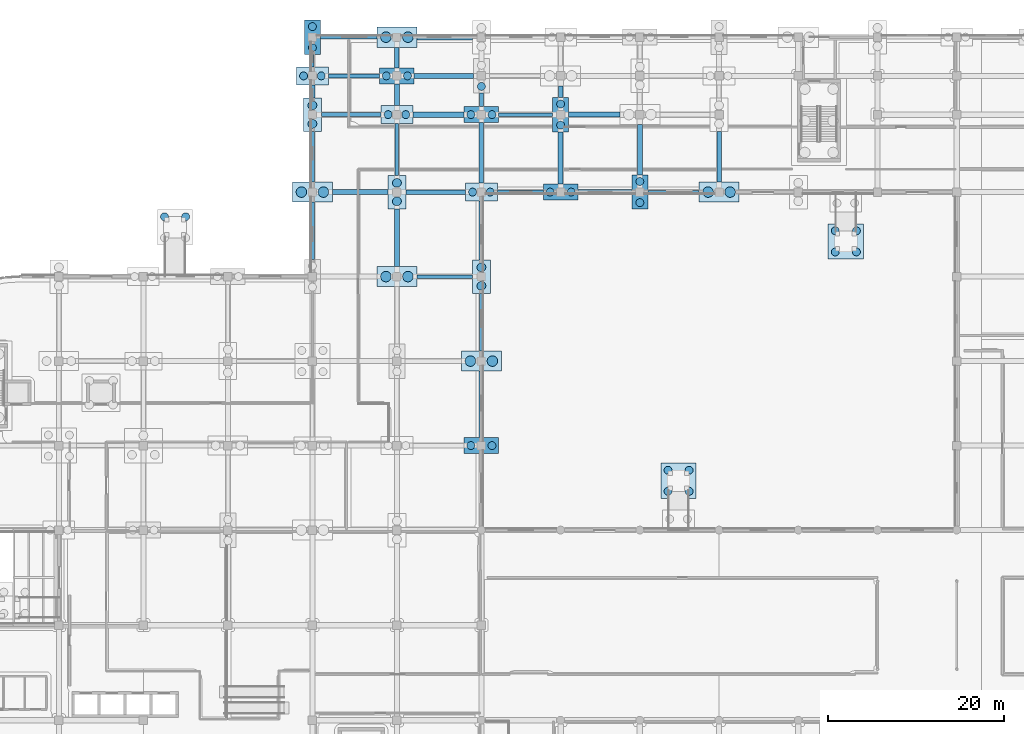
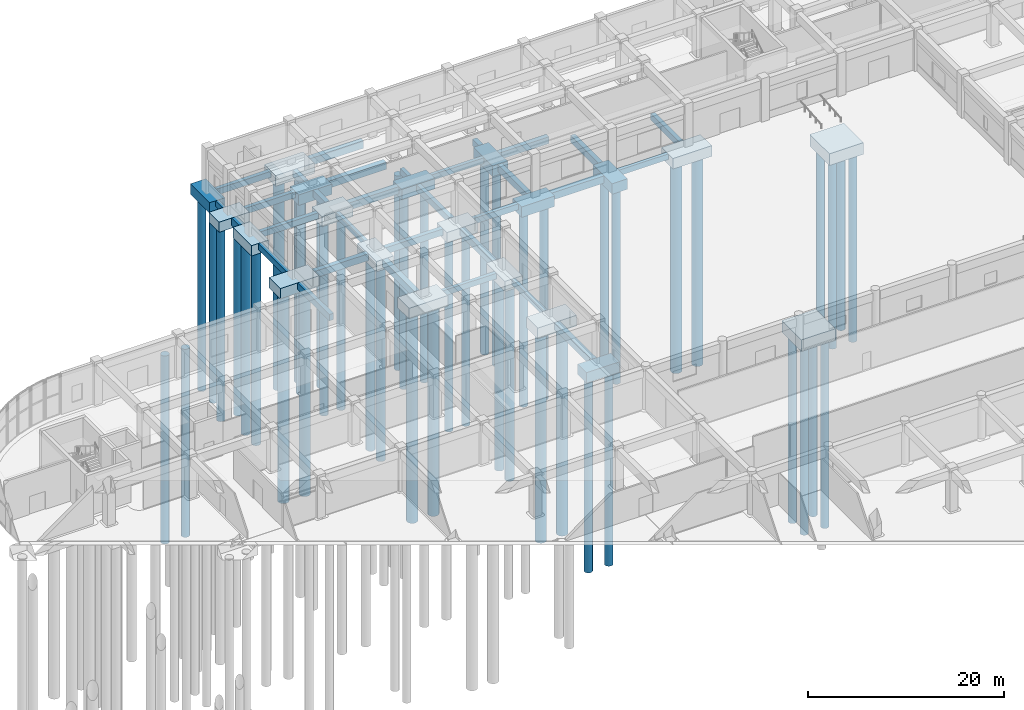
# One storey, part 3 of 74: 51 footings, 47 piles.
"""IFC4 building model written with IfcOpenShell, lengths in metres."""

import ifcopenshell
import ifcopenshell.guid

model = None  # the IFC model being written
_history = None  # IfcOwnerHistory: only IFC2X3 demands one
_inside = {}  # id of a spatial element -> (the spatial element, [elements in it])
_under = {}  # id of a project, library or spatial element -> (it, [spatial elements below it])
_declared = {}  # id of a project -> (the project, [libraries it declares])
_typed = {}  # id of a type object -> (the type object, [elements of that type])
_made_of = {}  # id of a material, layer set ... -> (it, [elements and type objects made of it])


def new_model(schema):
    """Start an empty IFC model of exactly this schema.

    Asked for "IFC4X3", IfcOpenShell would pick the latest addendum, in which some entities
    have other attributes; the version numbers below select the first issue.
    IFC2X3 requires an IfcOwnerHistory on every rooted entity: one is made here for all.
    """
    global model, _history
    if schema == "IFC4X3":
        model = ifcopenshell.file(schema_version=(4, 3, 0, 0))
    else:
        model = ifcopenshell.file(schema=schema)
    _inside.clear()
    _under.clear()
    _declared.clear()
    _typed.clear()
    _made_of.clear()
    _history = None
    if model.schema == "IFC2X3":
        org = make("IfcOrganization", Name="unknown")
        user = make(
            "IfcPersonAndOrganization",
            ThePerson=make("IfcPerson", FamilyName="unknown"),
            TheOrganization=org,
        )
        app = make(
            "IfcApplication",
            ApplicationDeveloper=org,
            Version="unknown",
            ApplicationFullName="unknown",
            ApplicationIdentifier="unknown",
        )
        _history = make(
            "IfcOwnerHistory",
            OwningUser=user,
            OwningApplication=app,
            ChangeAction="ADDED",
            CreationDate=0,
        )
    return model


def make(cls, **values):
    """One entity of the class cls with the attributes given. An attribute that is None is left unset."""
    return model.create_entity(
        cls, **{name: value for name, value in values.items() if value is not None}
    )


def rooted(cls, **values):
    """An entity with a GlobalId (a new one), such as an element, a storey or a relation."""
    return make(cls, GlobalId=ifcopenshell.guid.new(), OwnerHistory=_history, **values)


def si_unit(unit_type, name, prefix=None):
    """IfcSIUnit, for example si_unit("LENGTHUNIT", "METRE", prefix="MILLI")."""
    return make("IfcSIUnit", UnitType=unit_type, Prefix=prefix, Name=name)


def assignment(units):
    """IfcUnitAssignment: the units of a project."""
    return None if units is None else make("IfcUnitAssignment", Units=units)


def point(xyz):
    """IfcCartesianPoint."""
    return None if xyz is None else make("IfcCartesianPoint", Coordinates=xyz)


def direction(xyz):
    """IfcDirection."""
    return None if xyz is None else make("IfcDirection", DirectionRatios=xyz)


def frame(location, z_axis=None, x_axis=None):
    """IfcAxis2Placement3D, a coordinate frame: its origin and axes. An axis left out is left unset."""
    return make(
        "IfcAxis2Placement3D",
        Location=point(location),
        Axis=direction(z_axis),
        RefDirection=direction(x_axis),
    )


def frame_2d(location, x_axis=None):
    """IfcAxis2Placement2D, a coordinate frame in the plane: its origin and x axis."""
    return make(
        "IfcAxis2Placement2D", Location=point(location), RefDirection=direction(x_axis)
    )


def origin():
    """The frame at (0, 0, 0) with its axes left unset."""
    return frame((0.0, 0.0, 0.0))


def origin_2d():
    """The frame at (0, 0) in the plane with its x axis left unset."""
    return frame_2d((0.0, 0.0))


def place(relative_to, where):
    """IfcLocalPlacement: puts the frame where relative to a parent placement (None: the world)."""
    return make(
        "IfcLocalPlacement", PlacementRelTo=relative_to, RelativePlacement=where
    )


def context(
    kind, dimensions, precision=None, world=None, true_north=None, identifier=None
):
    """IfcGeometricRepresentationContext, for example the 3D "Model" context."""
    return make(
        "IfcGeometricRepresentationContext",
        ContextIdentifier=identifier,
        ContextType=kind,
        CoordinateSpaceDimension=dimensions,
        Precision=precision,
        WorldCoordinateSystem=world,
        TrueNorth=true_north,
    )


def subcontext(parent, identifier, kind, view, scale=None):
    """IfcGeometricRepresentationSubContext, for example "Body" below "Model"."""
    return make(
        "IfcGeometricRepresentationSubContext",
        ContextIdentifier=identifier,
        ContextType=kind,
        ParentContext=parent,
        TargetScale=scale,
        TargetView=view,
    )


def project(units=None, contexts=None):
    """IfcProject with its units and contexts."""
    return rooted(
        "IfcProject",
        Name="project",
        RepresentationContexts=contexts,
        UnitsInContext=assignment(units),
    )


def spatial(cls, under=None, at=None, **own):
    """A site, building, storey or space (cls), placed at a placement, below another one or the project."""
    s = rooted(cls, ObjectPlacement=at, **own)
    if under is not None:
        _under.setdefault(under.id(), (under, []))[1].append(s)
    return s


def profile(cls, at=None, kind="AREA", **sizes):
    """A parametric profile (cls). Its sizes go by their IFC names, for example OverallWidth=200.0."""
    return make(cls, ProfileType=kind, Position=at, **sizes)


def rectangle(**sizes):
    """IfcRectangleProfileDef."""
    return profile("IfcRectangleProfileDef", **sizes)


def circle(**sizes):
    """IfcCircleProfileDef."""
    return profile("IfcCircleProfileDef", **sizes)


def extrude(swept, where, along, depth):
    """IfcExtrudedAreaSolid: the profile swept, set in the frame where, extruded along a direction by depth."""
    return make(
        "IfcExtrudedAreaSolid",
        SweptArea=swept,
        Position=where,
        ExtrudedDirection=direction(along),
        Depth=depth,
    )


def shape(context_of_items, identifier, shape_type, items):
    """IfcShapeRepresentation: the items that make up one representation, for example the "Body"."""
    return make(
        "IfcShapeRepresentation",
        ContextOfItems=context_of_items,
        RepresentationIdentifier=identifier,
        RepresentationType=shape_type,
        Items=items,
    )


def material(Name=None, Category=None):
    """IfcMaterial."""
    return make("IfcMaterial", Name=Name, Category=Category)


def material_profile(
    of_material, cross_section, Name=None, Category=None, Priority=None
):
    """IfcMaterialProfile: a cross section and its material."""
    return make(
        "IfcMaterialProfile",
        Name=Name,
        Material=of_material,
        Profile=cross_section,
        Priority=Priority,
        Category=Category,
    )


def profile_set(profiles, Name=None, composite=None):
    """IfcMaterialProfileSet."""
    return make(
        "IfcMaterialProfileSet",
        Name=Name,
        MaterialProfiles=profiles,
        CompositeProfile=composite,
    )


def made_of(thing, what):
    """Note that an element or type object is made of a material, layer set ...; save() writes the relation."""
    if what is not None:
        _made_of.setdefault(what.id(), (what, []))[1].append(thing)
    return thing


def type_object(cls, material=None, **own):
    """A type object (cls), such as IfcWallType, which elements share."""
    return made_of(rooted(cls, **own), material)


def element(
    cls,
    number,
    at=None,
    inside=None,
    cuts=None,
    type_object=None,
    material=None,
    context=None,
    identifier="Body",
    shape_type=None,
    held_by="IfcProductDefinitionShape",
    body=None,
    shapes=None,
    **own,
):
    """One element of the class cls, such as IfcWall. Its Tag is "e" and its number.

    at: its placement. inside: the storey or other place that contains it. cuts: it is an
    opening in that element (IfcRelVoidsElement). A single representation is given by context,
    identifier, shape_type and body (its items); several are given by shapes. held_by: the class
    of the entity that holds the representations. save() writes the other relations.
    """
    e = rooted(cls, Tag="e%d" % number, ObjectPlacement=at, **own)
    if body is not None:
        shapes = [shape(context, identifier, shape_type, body)]
    if shapes is not None:
        e.Representation = make(held_by, Representations=shapes)
    if inside is not None:
        _inside.setdefault(inside.id(), (inside, []))[1].append(e)
    if cuts is not None:
        rooted(
            "IfcRelVoidsElement", RelatingBuildingElement=cuts, RelatedOpeningElement=e
        )
    if type_object is not None:
        _typed.setdefault(type_object.id(), (type_object, []))[1].append(e)
    return made_of(e, material)


def aggregate(whole, parts):
    """IfcRelAggregates: a whole, such as a stair, and the parts it consists of."""
    return rooted("IfcRelAggregates", RelatingObject=whole, RelatedObjects=parts)


def save(model, path):
    """Write the relations noted so far, then the file.

    IfcRelAggregates (storeys below a building ...), IfcRelContainedInSpatialStructure (elements
    in a storey), IfcRelDefinesByType, IfcRelAssociatesMaterial and IfcRelDeclares: one each for
    every whole, place, type object, material and project.
    """
    for whole, parts in _under.values():
        aggregate(whole, parts)
    for where, things in _inside.values():
        rooted(
            "IfcRelContainedInSpatialStructure",
            RelatedElements=things,
            RelatingStructure=where,
        )
    for kind, things in _typed.values():
        rooted("IfcRelDefinesByType", RelatedObjects=things, RelatingType=kind)
    for what, things in _made_of.values():
        rooted("IfcRelAssociatesMaterial", RelatedObjects=things, RelatingMaterial=what)
    for by, libraries in _declared.values():
        rooted("IfcRelDeclares", RelatingContext=by, RelatedDefinitions=libraries)
    model.write(path)


model = new_model("IFC4")

# Units and contexts
model_context = context("Model", 3, precision=1e-05, world=origin(), true_north=direction((0.0, 1.0)))
body_context = subcontext(model_context, "Body", "Model", "MODEL_VIEW")
ifc_project = project(units=[si_unit("LENGTHUNIT", "METRE"), si_unit("AREAUNIT", "SQUARE_METRE"), si_unit("VOLUMEUNIT", "CUBIC_METRE"), si_unit("PLANEANGLEUNIT", "RADIAN"), si_unit("MASSUNIT", "GRAM", prefix="KILO")], contexts=[model_context])

# Site, building, storey
site_placement = place(None, origin())
site = spatial("IfcSite", under=ifc_project, at=site_placement, CompositionType="ELEMENT")
building_placement = place(site_placement, origin())
building = spatial("IfcBuilding", under=site, at=building_placement, Name="Cendralis Terraced Arcade", CompositionType="ELEMENT")
storey_placement = place(building_placement, origin())
storey = spatial("IfcBuildingStorey", under=building, at=storey_placement, Name="L00", CompositionType="ELEMENT", Elevation=0.0)

# Footings
ifc_material = material(Name="Concrete f'c 35 MPa", Category="concrete")
ifc_material_profile_1 = material_profile(ifc_material, rectangle(XDim=0.39990234375, YDim=0.699951171875, at=origin_2d()), Name="FB-400x700", Category="LoadBearing")
ifc_profile_set_1 = profile_set([ifc_material_profile_1], Name="Concrete f'c 35 MPa")
footing_type_1 = type_object("IfcFootingType", Name="FB-400x700", PredefinedType="FOOTING_BEAM", material=ifc_profile_set_1)
footing_1_placement = place(storey_placement, frame((59.8798828125, 88.800048828125, -0.64990234375), z_axis=(1.0, 0.0, 0.0), x_axis=(0.0, 1.0, 0.0)))
element("IfcFooting", 1, at=footing_1_placement, inside=storey, type_object=footing_type_1, Name="Reinforced Concrete Foundation Tie Beam FB-X-0104", PredefinedType="FOOTING_BEAM", context=body_context, shape_type="SweptSolid", body=[
    extrude(rectangle(XDim=0.39990234375, YDim=0.699951171875, at=origin_2d()), origin(), (0.0, 0.0, 1.0), 6.295166015625),
])
footing_2_placement = place(storey_placement, frame((86.10009765625, 98.39990234375, -0.64990234375), z_axis=(1.0, 0.0, 0.0), x_axis=(0.0, 1.0, 0.0)))
element("IfcFooting", 2, at=footing_2_placement, inside=storey, type_object=footing_type_1, Name="Reinforced Concrete Foundation Tie Beam FB-X-0114", PredefinedType="FOOTING_BEAM", context=body_context, shape_type="SweptSolid", body=[
    extrude(rectangle(XDim=0.39990234375, YDim=0.699951171875, at=origin_2d()), origin(), (0.0, 0.0, 1.0), 5.81982421875),
])
footing_3_placement = place(storey_placement, frame((69.14990234375, 107.199951171875, -0.64990234375), z_axis=(1.0, 0.0, 0.0), x_axis=(0.0, 1.0, 0.0)))
element("IfcFooting", 3, at=footing_3_placement, inside=storey, type_object=footing_type_1, Name="Reinforced Concrete Foundation Tie Beam FB-X-0124", PredefinedType="FOOTING_BEAM", context=body_context, shape_type="SweptSolid", body=[
    extrude(rectangle(XDim=0.39990234375, YDim=0.699951171875, at=origin_2d()), origin(), (0.0, 0.0, 1.0), 6.150146484375),
])
footing_4_placement = place(storey_placement, frame((48.0, 112.625, -0.64990234375), z_axis=(0.0, 1.0, 0.0), x_axis=(-1.0, 0.0, 0.0)))
element("IfcFooting", 4, at=footing_4_placement, inside=storey, type_object=footing_type_1, Name="Reinforced Concrete Foundation Tie Beam FB-Y-0189", PredefinedType="FOOTING_BEAM", context=body_context, shape_type="SweptSolid", body=[
    extrude(rectangle(XDim=0.39990234375, YDim=0.699951171875, at=origin_2d()), origin(), (0.0, 0.0, 1.0), 1.425048828125),
])
footing_5_placement = place(storey_placement, frame((57.60009765625, 100.300048828125, -0.64990234375), z_axis=(0.0, 1.0, 0.0), x_axis=(-1.0, 0.0, 0.0)))
element("IfcFooting", 5, at=footing_5_placement, inside=storey, type_object=footing_type_1, Name="Reinforced Concrete Foundation Tie Beam FB-Y-0199", PredefinedType="FOOTING_BEAM", context=body_context, shape_type="SweptSolid", body=[
    extrude(rectangle(XDim=0.39990234375, YDim=0.699951171875, at=origin_2d()), origin(), (0.0, 0.0, 1.0), 5.875),
])
footing_6_placement = place(storey_placement, frame((67.199951171875, 80.35009765625, -0.64990234375), z_axis=(0.0, 1.0, 0.0), x_axis=(-1.0, 0.0, 0.0)))
element("IfcFooting", 6, at=footing_6_placement, inside=storey, type_object=footing_type_1, Name="Reinforced Concrete Foundation Tie Beam FB-Y-0209", PredefinedType="FOOTING_BEAM", context=body_context, shape_type="SweptSolid", body=[
    extrude(rectangle(XDim=0.39990234375, YDim=0.699951171875, at=origin_2d()), origin(), (0.0, 0.0, 1.0), 6.5498046875),
])
ifc_material_profile_2 = material_profile(ifc_material, rectangle(XDim=0.449951171875, YDim=0.75, at=origin_2d()), Name="FB-450x750", Category="LoadBearing")
ifc_profile_set_2 = profile_set([ifc_material_profile_2], Name="Concrete f'c 35 MPa")
footing_type_2 = type_object("IfcFootingType", Name="FB-450x750", PredefinedType="FOOTING_BEAM", material=ifc_profile_set_2)
footing_7_placement = place(storey_placement, frame((69.0, 98.39990234375, -0.675048828125), z_axis=(1.0, 0.0, 0.0), x_axis=(0.0, 1.0, 0.0)))
element("IfcFooting", 7, at=footing_7_placement, inside=storey, type_object=footing_type_2, Name="Reinforced Concrete Foundation Tie Beam FB-X-0112", PredefinedType="FOOTING_BEAM", context=body_context, shape_type="SweptSolid", body=[
    extrude(rectangle(XDim=0.449951171875, YDim=0.75, at=origin_2d()), origin(), (0.0, 0.0, 1.0), 5.25),
])
footing_8_placement = place(storey_placement, frame((49.02490234375, 107.199951171875, -0.675048828125), z_axis=(1.0, 0.0, 0.0), x_axis=(0.0, 1.0, 0.0)))
element("IfcFooting", 8, at=footing_8_placement, inside=storey, type_object=footing_type_2, Name="Reinforced Concrete Foundation Tie Beam FB-X-0122", PredefinedType="FOOTING_BEAM", context=body_context, shape_type="SweptSolid", body=[
    extrude(rectangle(XDim=0.449951171875, YDim=0.75, at=origin_2d()), origin(), (0.0, 0.0, 1.0), 6.775146484375),
])
footing_9_placement = place(storey_placement, frame((49.800048828125, 111.60009765625, -0.675048828125), z_axis=(1.0, 0.0, 0.0), x_axis=(0.0, 1.0, 0.0)))
element("IfcFooting", 9, at=footing_9_placement, inside=storey, type_object=footing_type_2, Name="Reinforced Concrete Foundation Tie Beam FB-X-0132", PredefinedType="FOOTING_BEAM", context=body_context, shape_type="SweptSolid", body=[
    extrude(rectangle(XDim=0.449951171875, YDim=0.75, at=origin_2d()), origin(), (0.0, 0.0, 1.0), 5.849853515625),
])
footing_10_placement = place(storey_placement, frame((48.89990234375, 116.0, -0.675048828125), z_axis=(1.0, 0.0, 0.0), x_axis=(0.0, 1.0, 0.0)))
element("IfcFooting", 10, at=footing_10_placement, inside=storey, type_object=footing_type_2, Name="Reinforced Concrete Foundation Tie Beam FB-X-0142", PredefinedType="FOOTING_BEAM", context=body_context, shape_type="SweptSolid", body=[
    extrude(rectangle(XDim=0.449951171875, YDim=0.75, at=origin_2d()), origin(), (0.0, 0.0, 1.0), 6.420166015625),
])
footing_11_placement = place(storey_placement, frame((48.0, 99.550048828125, -0.675048828125), z_axis=(0.0, 1.0, 0.0), x_axis=(-1.0, 0.0, 0.0)))
element("IfcFooting", 11, at=footing_11_placement, inside=storey, type_object=footing_type_2, Name="Reinforced Concrete Foundation Tie Beam FB-Y-0187", PredefinedType="FOOTING_BEAM", context=body_context, shape_type="SweptSolid", body=[
    extrude(rectangle(XDim=0.449951171875, YDim=0.75, at=origin_2d()), origin(), (0.0, 0.0, 1.0), 5.75),
])
footing_12_placement = place(storey_placement, frame((67.199951171875, 108.10009765625, -0.675048828125), z_axis=(0.0, 1.0, 0.0), x_axis=(-1.0, 0.0, 0.0)))
element("IfcFooting", 12, at=footing_12_placement, inside=storey, type_object=footing_type_2, Name="Reinforced Concrete Foundation Tie Beam FB-Y-0212", PredefinedType="FOOTING_BEAM", context=body_context, shape_type="SweptSolid", body=[
    extrude(rectangle(XDim=0.449951171875, YDim=0.75, at=origin_2d()), origin(), (0.0, 0.0, 1.0), 1.5498046875),
])
ifc_material_profile_3 = material_profile(ifc_material, rectangle(XDim=0.5, YDim=0.800048828125, at=origin_2d()), Name="FB-500x800", Category="LoadBearing")
ifc_profile_set_3 = profile_set([ifc_material_profile_3], Name="Concrete f'c 35 MPa")
footing_type_3 = type_object("IfcFootingType", Name="FB-500x800", PredefinedType="FOOTING_BEAM", material=ifc_profile_set_3)
footing_13_placement = place(storey_placement, frame((58.625, 98.39990234375, -0.699951171875), z_axis=(1.0, 0.0, 0.0), x_axis=(0.0, 1.0, 0.0)))
element("IfcFooting", 13, at=footing_13_placement, inside=storey, type_object=footing_type_3, Name="Reinforced Concrete Foundation Tie Beam FB-X-0111", PredefinedType="FOOTING_BEAM", context=body_context, shape_type="SweptSolid", body=[
    extrude(rectangle(XDim=0.5, YDim=0.800048828125, at=origin_2d()), origin(), (0.0, 0.0, 1.0), 6.77490234375),
])
footing_14_placement = place(storey_placement, frame((48.0, 90.75, -0.699951171875), z_axis=(0.0, 1.0, 0.0), x_axis=(-1.0, 0.0, 0.0)))
element("IfcFooting", 14, at=footing_14_placement, inside=storey, type_object=footing_type_3, Name="Reinforced Concrete Foundation Tie Beam FB-Y-0186", PredefinedType="FOOTING_BEAM", context=body_context, shape_type="SweptSolid", body=[
    extrude(rectangle(XDim=0.5, YDim=0.800048828125, at=origin_2d()), origin(), (0.0, 0.0, 1.0), 6.5),
])
footing_15_placement = place(storey_placement, frame((57.60009765625, 112.5, -0.699951171875), z_axis=(0.0, 1.0, 0.0), x_axis=(-1.0, 0.0, 0.0)))
element("IfcFooting", 15, at=footing_15_placement, inside=storey, type_object=footing_type_3, Name="Reinforced Concrete Foundation Tie Beam FB-Y-0201", PredefinedType="FOOTING_BEAM", context=body_context, shape_type="SweptSolid", body=[
    extrude(rectangle(XDim=0.5, YDim=0.800048828125, at=origin_2d()), origin(), (0.0, 0.0, 1.0), 2.35009765625),
])
footing_16_placement = place(storey_placement, frame((67.199951171875, 99.425048828125, -0.699951171875), z_axis=(0.0, 1.0, 0.0), x_axis=(-1.0, 0.0, 0.0)))
element("IfcFooting", 16, at=footing_16_placement, inside=storey, type_object=footing_type_3, Name="Reinforced Concrete Foundation Tie Beam FB-Y-0211", PredefinedType="FOOTING_BEAM", context=body_context, shape_type="SweptSolid", body=[
    extrude(rectangle(XDim=0.5, YDim=0.800048828125, at=origin_2d()), origin(), (0.0, 0.0, 1.0), 6.875),
])
footing_17_placement = place(storey_placement, frame((76.199951171875, 109.14990234375, -0.699951171875), z_axis=(0.0, 1.0, 0.0), x_axis=(-1.0, 0.0, 0.0)))
element("IfcFooting", 17, at=footing_17_placement, inside=storey, type_object=footing_type_3, Name="Reinforced Concrete Foundation Tie Beam FB-Y-0216", PredefinedType="FOOTING_BEAM", context=body_context, shape_type="SweptSolid", body=[
    extrude(rectangle(XDim=0.5, YDim=0.800048828125, at=origin_2d()), origin(), (0.0, 0.0, 1.0), 1.300048828125),
])
footing_18_placement = place(storey_placement, frame((94.199951171875, 99.550048828125, -0.699951171875), z_axis=(0.0, 1.0, 0.0), x_axis=(-1.0, 0.0, 0.0)))
element("IfcFooting", 18, at=footing_18_placement, inside=storey, type_object=footing_type_3, Name="Reinforced Concrete Foundation Tie Beam FB-Y-0226", PredefinedType="FOOTING_BEAM", context=body_context, shape_type="SweptSolid", body=[
    extrude(rectangle(XDim=0.5, YDim=0.800048828125, at=origin_2d()), origin(), (0.0, 0.0, 1.0), 5.75),
])
ifc_material_profile_4 = material_profile(ifc_material, rectangle(XDim=0.550048828125, YDim=0.85009765625, at=origin_2d()), Name="FB-550x850", Category="LoadBearing")
ifc_profile_set_4 = profile_set([ifc_material_profile_4], Name="Concrete f'c 35 MPa")
footing_type_4 = type_object("IfcFootingType", Name="FB-550x850", PredefinedType="FOOTING_BEAM", material=ifc_profile_set_4)
footing_19_placement = place(storey_placement, frame((50.280029296875, 98.39990234375, -0.72509765625), z_axis=(1.0, 0.0, 0.0), x_axis=(0.0, 1.0, 0.0)))
element("IfcFooting", 19, at=footing_19_placement, inside=storey, type_object=footing_type_4, Name="Reinforced Concrete Foundation Tie Beam FB-X-0110", PredefinedType="FOOTING_BEAM", context=body_context, shape_type="SweptSolid", body=[
    extrude(rectangle(XDim=0.550048828125, YDim=0.85009765625, at=origin_2d()), origin(), (0.0, 0.0, 1.0), 6.294921875),
])
footing_20_placement = place(storey_placement, frame((77.10009765625, 107.199951171875, -0.72509765625), z_axis=(1.0, 0.0, 0.0), x_axis=(0.0, 1.0, 0.0)))
element("IfcFooting", 20, at=footing_20_placement, inside=storey, type_object=footing_type_4, Name="Reinforced Concrete Foundation Tie Beam FB-X-0125", PredefinedType="FOOTING_BEAM", context=body_context, shape_type="SweptSolid", body=[
    extrude(rectangle(XDim=0.550048828125, YDim=0.85009765625, at=origin_2d()), origin(), (0.0, 0.0, 1.0), 5.81982421875),
])
footing_21_placement = place(storey_placement, frame((57.60009765625, 108.22509765625, -0.72509765625), z_axis=(0.0, 1.0, 0.0), x_axis=(-1.0, 0.0, 0.0)))
element("IfcFooting", 21, at=footing_21_placement, inside=storey, type_object=footing_type_4, Name="Reinforced Concrete Foundation Tie Beam FB-Y-0200", PredefinedType="FOOTING_BEAM", context=body_context, shape_type="SweptSolid", body=[
    extrude(rectangle(XDim=0.550048828125, YDim=0.85009765625, at=origin_2d()), origin(), (0.0, 0.0, 1.0), 2.474853515625),
])
footing_22_placement = place(storey_placement, frame((67.199951171875, 90.699951171875, -0.72509765625), z_axis=(0.0, 1.0, 0.0), x_axis=(-1.0, 0.0, 0.0)))
element("IfcFooting", 22, at=footing_22_placement, inside=storey, type_object=footing_type_4, Name="Reinforced Concrete Foundation Tie Beam FB-Y-0210", PredefinedType="FOOTING_BEAM", context=body_context, shape_type="SweptSolid", body=[
    extrude(rectangle(XDim=0.550048828125, YDim=0.85009765625, at=origin_2d()), origin(), (0.0, 0.0, 1.0), 6.675048828125),
])
footing_23_placement = place(storey_placement, frame((76.199951171875, 99.300048828125, -0.72509765625), z_axis=(0.0, 1.0, 0.0), x_axis=(-1.0, 0.0, 0.0)))
element("IfcFooting", 23, at=footing_23_placement, inside=storey, type_object=footing_type_4, Name="Reinforced Concrete Foundation Tie Beam FB-Y-0215", PredefinedType="FOOTING_BEAM", context=body_context, shape_type="SweptSolid", body=[
    extrude(rectangle(XDim=0.550048828125, YDim=0.85009765625, at=origin_2d()), origin(), (0.0, 0.0, 1.0), 5.949951171875),
])
footing_24_placement = place(storey_placement, frame((85.199951171875, 100.35009765625, -0.72509765625), z_axis=(0.0, 1.0, 0.0), x_axis=(-1.0, 0.0, 0.0)))
element("IfcFooting", 24, at=footing_24_placement, inside=storey, type_object=footing_type_4, Name="Reinforced Concrete Foundation Tie Beam FB-Y-0220", PredefinedType="FOOTING_BEAM", context=body_context, shape_type="SweptSolid", body=[
    extrude(rectangle(XDim=0.550048828125, YDim=0.85009765625, at=origin_2d()), origin(), (0.0, 0.0, 1.0), 5.699951171875),
])
ifc_material_profile_5 = material_profile(ifc_material, rectangle(XDim=0.60009765625, YDim=0.89990234375, at=origin_2d()), Name="FB-600x900", Category="LoadBearing")
ifc_profile_set_5 = profile_set([ifc_material_profile_5], Name="Concrete f'c 35 MPa")
footing_type_5 = type_object("IfcFootingType", Name="FB-600x900", PredefinedType="FOOTING_BEAM", material=ifc_profile_set_5)
footing_25_placement = place(storey_placement, frame((78.14990234375, 98.39990234375, -0.75), z_axis=(1.0, 0.0, 0.0), x_axis=(0.0, 1.0, 0.0)))
element("IfcFooting", 25, at=footing_25_placement, inside=storey, type_object=footing_type_5, Name="Reinforced Concrete Foundation Tie Beam FB-X-0113", PredefinedType="FOOTING_BEAM", context=body_context, shape_type="SweptSolid", body=[
    extrude(rectangle(XDim=0.60009765625, YDim=0.89990234375, at=origin_2d()), origin(), (0.0, 0.0, 1.0), 6.150146484375),
])
footing_26_placement = place(storey_placement, frame((59.39990234375, 107.199951171875, -0.75), z_axis=(1.0, 0.0, 0.0), x_axis=(0.0, 1.0, 0.0)))
element("IfcFooting", 26, at=footing_26_placement, inside=storey, type_object=footing_type_5, Name="Reinforced Concrete Foundation Tie Beam FB-X-0123", PredefinedType="FOOTING_BEAM", context=body_context, shape_type="SweptSolid", body=[
    extrude(rectangle(XDim=0.60009765625, YDim=0.89990234375, at=origin_2d()), origin(), (0.0, 0.0, 1.0), 5.85009765625),
])
footing_27_placement = place(storey_placement, frame((59.550048828125, 111.60009765625, -0.75), z_axis=(1.0, 0.0, 0.0), x_axis=(0.0, 1.0, 0.0)))
element("IfcFooting", 27, at=footing_27_placement, inside=storey, type_object=footing_type_5, Name="Reinforced Concrete Foundation Tie Beam FB-X-0133", PredefinedType="FOOTING_BEAM", context=body_context, shape_type="SweptSolid", body=[
    extrude(rectangle(XDim=0.60009765625, YDim=0.89990234375, at=origin_2d()), origin(), (0.0, 0.0, 1.0), 6.75),
])
footing_28_placement = place(storey_placement, frame((59.8798828125, 116.0, -0.75), z_axis=(1.0, 0.0, 0.0), x_axis=(0.0, 1.0, 0.0)))
element("IfcFooting", 28, at=footing_28_placement, inside=storey, type_object=footing_type_5, Name="Reinforced Concrete Foundation Tie Beam FB-X-0143", PredefinedType="FOOTING_BEAM", context=body_context, shape_type="SweptSolid", body=[
    extrude(rectangle(XDim=0.60009765625, YDim=0.89990234375, at=origin_2d()), origin(), (0.0, 0.0, 1.0), 6.295166015625),
])
footing_29_placement = place(storey_placement, frame((48.0, 109.10009765625, -0.75), z_axis=(0.0, 1.0, 0.0), x_axis=(-1.0, 0.0, 0.0)))
element("IfcFooting", 29, at=footing_29_placement, inside=storey, type_object=footing_type_5, Name="Reinforced Concrete Foundation Tie Beam FB-Y-0188", PredefinedType="FOOTING_BEAM", context=body_context, shape_type="SweptSolid", body=[
    extrude(rectangle(XDim=0.60009765625, YDim=0.89990234375, at=origin_2d()), origin(), (0.0, 0.0, 1.0), 1.474853515625),
])
footing_30_placement = place(storey_placement, frame((57.60009765625, 89.949951171875, -0.75), z_axis=(0.0, 1.0, 0.0), x_axis=(-1.0, 0.0, 0.0)))
element("IfcFooting", 30, at=footing_30_placement, inside=storey, type_object=footing_type_5, Name="Reinforced Concrete Foundation Tie Beam FB-Y-0198", PredefinedType="FOOTING_BEAM", context=body_context, shape_type="SweptSolid", body=[
    extrude(rectangle(XDim=0.60009765625, YDim=0.89990234375, at=origin_2d()), origin(), (0.0, 0.0, 1.0), 6.550048828125),
])
footing_31_placement = place(storey_placement, frame((67.199951171875, 70.5, -0.75), z_axis=(0.0, 1.0, 0.0), x_axis=(-1.0, 0.0, 0.0)))
element("IfcFooting", 31, at=footing_31_placement, inside=storey, type_object=footing_type_5, Name="Reinforced Concrete Foundation Tie Beam FB-Y-0208", PredefinedType="FOOTING_BEAM", context=body_context, shape_type="SweptSolid", body=[
    extrude(rectangle(XDim=0.60009765625, YDim=0.89990234375, at=origin_2d()), origin(), (0.0, 0.0, 1.0), 7.550048828125),
])
footing_type_6 = type_object("IfcFootingType", Name="PC-2P-1800x3900x1300", PredefinedType="PILE_CAP", material=ifc_material)
for number, where, z_axis, x_axis, name in (
    (32, (85.199951171875, 98.39990234375, -1.60009765625), (0.0, 0.0, 1.0), (1.0, 0.0, 0.0), "Reinforced Concrete Bored Pile Cap CAP-G10-L"),
    (33, (48.0, 116.0, -1.60009765625), (0.0, 0.0, 1.0), (1.0, 0.0, 0.0), "Reinforced Concrete Bored Pile Cap CAP-G6-P"),
    (34, (76.199951171875, 107.199951171875, -1.60009765625), (0.0, 0.0, 1.0), (1.0, 0.0, 0.0), "Reinforced Concrete Bored Pile Cap CAP-G9-M"),
):
    element("IfcFooting", number, at=place(storey_placement, frame(where, z_axis=z_axis, x_axis=x_axis)), inside=storey, type_object=footing_type_6, Name=name, PredefinedType="PILE_CAP", context=body_context, shape_type="SweptSolid", body=[
        extrude(rectangle(XDim=1.800048828125, YDim=3.89990234375, at=origin_2d()), origin(), (0.0, 0.0, 1.0), 1.300048828125),
    ])
footing_type_7 = type_object("IfcFootingType", Name="PC-2P-2050x3800x1280", PredefinedType="PILE_CAP", material=ifc_material)
for number, where, z_axis, x_axis, name in (
    (35, (48.0, 107.199951171875, -1.580078125), (0.0, 0.0, 1.0), (1.0, 0.0, 0.0), "Reinforced Concrete Bored Pile Cap CAP-G6-M"),
    (36, (57.60009765625, 98.39990234375, -1.580078125), (0.0, 0.0, 1.0), (1.0, 0.0, 0.0), "Reinforced Concrete Bored Pile Cap CAP-G7-L"),
    (37, (67.199951171875, 88.800048828125, -1.580078125), (0.0, 0.0, 1.0), (1.0, 0.0, 0.0), "Reinforced Concrete Bored Pile Cap CAP-G8-K"),
):
    element("IfcFooting", number, at=place(storey_placement, frame(where, z_axis=z_axis, x_axis=x_axis)), inside=storey, type_object=footing_type_7, Name=name, PredefinedType="PILE_CAP", context=body_context, shape_type="SweptSolid", body=[
        extrude(rectangle(XDim=2.050048828125, YDim=3.800048828125, at=origin_2d()), origin(), (0.0, 0.0, 1.0), 1.280029296875),
    ])
footing_type_8 = type_object("IfcFootingType", Name="PC-2P-3600x2050x1260", PredefinedType="PILE_CAP", material=ifc_material)
for number, where, z_axis, x_axis, name in (
    (38, (48.0, 111.60009765625, -1.56005859375), (0.0, 0.0, 1.0), (1.0, 0.0, 0.0), "Reinforced Concrete Bored Pile Cap CAP-G6-N"),
    (39, (57.60009765625, 107.199951171875, -1.56005859375), (0.0, 0.0, 1.0), (1.0, 0.0, 0.0), "Reinforced Concrete Bored Pile Cap CAP-G7-M"),
    (40, (67.199951171875, 98.39990234375, -1.56005859375), (0.0, 0.0, 1.0), (1.0, 0.0, 0.0), "Reinforced Concrete Bored Pile Cap CAP-G8-L"),
):
    element("IfcFooting", number, at=place(storey_placement, frame(where, z_axis=z_axis, x_axis=x_axis)), inside=storey, type_object=footing_type_8, Name=name, PredefinedType="PILE_CAP", context=body_context, shape_type="SweptSolid", body=[
        extrude(rectangle(XDim=3.60009765625, YDim=2.050048828125, at=origin_2d()), origin(), (0.0, 0.0, 1.0), 1.260009765625),
    ])
footing_type_9 = type_object("IfcFootingType", Name="PC-2P-3900x1800x1300", PredefinedType="PILE_CAP", material=ifc_material)
for number, where, z_axis, x_axis, name in (
    (41, (57.60009765625, 111.60009765625, -1.60009765625), (0.0, 0.0, 1.0), (1.0, 0.0, 0.0), "Reinforced Concrete Bored Pile Cap CAP-G7-N"),
    (42, (67.199951171875, 69.60009765625, -1.60009765625), (0.0, 0.0, 1.0), (1.0, 0.0, 0.0), "Reinforced Concrete Bored Pile Cap CAP-G8-H"),
    (43, (67.199951171875, 107.199951171875, -1.60009765625), (0.0, 0.0, 1.0), (1.0, 0.0, 0.0), "Reinforced Concrete Bored Pile Cap CAP-G8-M"),
    (44, (76.199951171875, 98.39990234375, -1.60009765625), (0.0, 0.0, 1.0), (1.0, 0.0, 0.0), "Reinforced Concrete Bored Pile Cap CAP-G9-L"),
):
    element("IfcFooting", number, at=place(storey_placement, frame(where, z_axis=z_axis, x_axis=x_axis)), inside=storey, type_object=footing_type_9, Name=name, PredefinedType="PILE_CAP", context=body_context, shape_type="SweptSolid", body=[
        extrude(rectangle(XDim=3.89990234375, YDim=1.800048828125, at=origin_2d()), origin(), (0.0, 0.0, 1.0), 1.300048828125),
    ])
footing_type_10 = type_object("IfcFootingType", Name="PC-2P-4560x2300x1320", PredefinedType="PILE_CAP", material=ifc_material)
for number, where, z_axis, x_axis, name in (
    (45, (94.199951171875, 98.39990234375, -1.6201171875), (0.0, 0.0, 1.0), (1.0, 0.0, 0.0), "Reinforced Concrete Bored Pile Cap CAP-G11-L"),
    (46, (48.0, 98.39990234375, -1.6201171875), (0.0, 0.0, 1.0), (1.0, 0.0, 0.0), "Reinforced Concrete Bored Pile Cap CAP-G6-L"),
    (47, (57.60009765625, 88.800048828125, -1.6201171875), (0.0, 0.0, 1.0), (1.0, 0.0, 0.0), "Reinforced Concrete Bored Pile Cap CAP-G7-K"),
    (48, (57.60009765625, 116.0, -1.6201171875), (0.0, 0.0, 1.0), (1.0, 0.0, 0.0), "Reinforced Concrete Bored Pile Cap CAP-G7-P"),
    (49, (67.199951171875, 79.199951171875, -1.6201171875), (0.0, 0.0, 1.0), (1.0, 0.0, 0.0), "Reinforced Concrete Bored Pile Cap CAP-G8-J"),
):
    element("IfcFooting", number, at=place(storey_placement, frame(where, z_axis=z_axis, x_axis=x_axis)), inside=storey, type_object=footing_type_10, Name=name, PredefinedType="PILE_CAP", context=body_context, shape_type="SweptSolid", body=[
        extrude(rectangle(XDim=4.56005859375, YDim=2.300048828125, at=origin_2d()), origin(), (0.0, 0.0, 1.0), 1.320068359375),
    ])
footing_type_11 = type_object("IfcFootingType", Name="PC-4P-4000x4000x1450", PredefinedType="PILE_CAP", material=ifc_material)
for number, where, z_axis, x_axis, name in (
    (50, (89.60009765625, 65.60009765625, -2.39990234375), (0.0, 0.0, 1.0), (1.0, 0.0, 0.0), "Reinforced Concrete Bored Pile Cap CAP-RMP-04"),
    (51, (108.60009765625, 92.800048828125, -2.39990234375), (0.0, 0.0, 1.0), (1.0, 0.0, 0.0), "Reinforced Concrete Bored Pile Cap CAP-RMP-05"),
):
    element("IfcFooting", number, at=place(storey_placement, frame(where, z_axis=z_axis, x_axis=x_axis)), inside=storey, type_object=footing_type_11, Name=name, PredefinedType="PILE_CAP", context=body_context, shape_type="SweptSolid", body=[
        extrude(rectangle(XDim=4.0, YDim=4.0, at=origin_2d()), origin(), (0.0, 0.0, 1.0), 1.449951171875),
    ])

# Piles
ifc_material_profile_6 = material_profile(ifc_material, circle(Radius=0.5, at=origin_2d()), Name="PILE-D1000", Category="LoadBearing")
ifc_profile_set_6 = profile_set([ifc_material_profile_6], Name="Concrete f'c 35 MPa")
pile_type_1 = type_object("IfcPileType", Name="PILE-1000", PredefinedType="BORED", material=ifc_profile_set_6)
for number, where, z_axis, x_axis, name in (
    (52, (48.0, 106.14990234375, -1.47998046875), (0.0, 0.0, -1.0), (1.0, 0.0, 0.0), "Bored Concrete Pile PILE-C-CAP-G6-M-1-0_-105"),
    (53, (48.0, 108.25, -1.47998046875), (0.0, 0.0, -1.0), (1.0, 0.0, 0.0), "Bored Concrete Pile PILE-B-CAP-G6-M-1"),
    (54, (57.60009765625, 97.35009765625, -1.47998046875), (0.0, 0.0, -1.0), (1.0, 0.0, 0.0), "Bored Concrete Pile PILE-C-CAP-G7-L-1-0_-105"),
    (55, (57.60009765625, 99.449951171875, -1.47998046875), (0.0, 0.0, -1.0), (1.0, 0.0, 0.0), "Bored Concrete Pile PILE-B-CAP-G7-L-1"),
    (56, (67.199951171875, 87.75, -1.47998046875), (0.0, 0.0, -1.0), (1.0, 0.0, 0.0), "Bored Concrete Pile PILE-C-CAP-G8-K-1-0_-105"),
    (57, (67.199951171875, 89.85009765625, -1.47998046875), (0.0, 0.0, -1.0), (1.0, 0.0, 0.0), "Bored Concrete Pile PILE-B-CAP-G8-K-1"),
):
    element("IfcPile", number, at=place(storey_placement, frame(where, z_axis=z_axis, x_axis=x_axis)), inside=storey, type_object=pile_type_1, Name=name, PredefinedType="BORED", context=body_context, shape_type="SweptSolid", body=[
        extrude(circle(Radius=0.5, at=origin_2d()), origin(), (0.0, 0.0, 1.0), 24.219970703125),
    ])
ifc_material_profile_7 = material_profile(ifc_material, circle(Radius=0.60009765625, at=origin_2d()), Name="PILE-D1200", Category="LoadBearing")
ifc_profile_set_7 = profile_set([ifc_material_profile_7], Name="Concrete f'c 35 MPa")
pile_type_2 = type_object("IfcPileType", Name="PILE-1200", PredefinedType="BORED", material=ifc_profile_set_7)
for number, where, z_axis, x_axis, name in (
    (58, (92.949951171875, 98.39990234375, -1.52001953125), (0.0, 0.0, -1.0), (1.0, 0.0, 0.0), "Bored Concrete Pile PILE-C-CAP-G11-L-1--125_0"),
    (59, (95.449951171875, 98.39990234375, -1.52001953125), (0.0, 0.0, -1.0), (1.0, 0.0, 0.0), "Bored Concrete Pile PILE-B-CAP-G11-L-1"),
    (60, (46.75, 98.39990234375, -1.52001953125), (0.0, 0.0, -1.0), (1.0, 0.0, 0.0), "Bored Concrete Pile PILE-C-CAP-G6-L-1--125_0"),
    (61, (49.25, 98.39990234375, -1.52001953125), (0.0, 0.0, -1.0), (1.0, 0.0, 0.0), "Bored Concrete Pile PILE-B-CAP-G6-L-1"),
    (62, (56.35009765625, 88.800048828125, -1.52001953125), (0.0, 0.0, -1.0), (1.0, 0.0, 0.0), "Bored Concrete Pile PILE-C-CAP-G7-K-1--125_0"),
    (63, (58.85009765625, 88.800048828125, -1.52001953125), (0.0, 0.0, -1.0), (1.0, 0.0, 0.0), "Bored Concrete Pile PILE-B-CAP-G7-K-1"),
    (64, (56.35009765625, 116.0, -1.52001953125), (0.0, 0.0, -1.0), (1.0, 0.0, 0.0), "Bored Concrete Pile PILE-C-CAP-G7-P-1--125_0"),
    (65, (58.85009765625, 116.0, -1.52001953125), (0.0, 0.0, -1.0), (1.0, 0.0, 0.0), "Bored Concrete Pile PILE-B-CAP-G7-P-1"),
    (66, (65.949951171875, 79.199951171875, -1.52001953125), (0.0, 0.0, -1.0), (1.0, 0.0, 0.0), "Bored Concrete Pile PILE-C-CAP-G8-J-1--125_0"),
    (67, (68.449951171875, 79.199951171875, -1.52001953125), (0.0, 0.0, -1.0), (1.0, 0.0, 0.0), "Bored Concrete Pile PILE-B-CAP-G8-J-1"),
):
    element("IfcPile", number, at=place(storey_placement, frame(where, z_axis=z_axis, x_axis=x_axis)), inside=storey, type_object=pile_type_2, Name=name, PredefinedType="BORED", context=body_context, shape_type="SweptSolid", body=[
        extrude(circle(Radius=0.60009765625, at=origin_2d()), origin(), (0.0, 0.0, 1.0), 26.179931640625),
    ])
ifc_material_profile_8 = material_profile(ifc_material, circle(Radius=0.449951171875, at=origin_2d()), Name="PILE-D900", Category="LoadBearing")
ifc_profile_set_8 = profile_set([ifc_material_profile_8], Name="Concrete f'c 35 MPa")
pile_type_3 = type_object("IfcPileType", Name="PILE-900", PredefinedType="BORED", material=ifc_profile_set_8)
for number, where, z_axis, x_axis, name in (
    (68, (85.199951171875, 97.199951171875, -1.5), (0.0, 0.0, -1.0), (1.0, 0.0, 0.0), "Bored Concrete Pile PILE-C-CAP-G10-L-2-0_-120"),
    (69, (85.199951171875, 99.60009765625, -1.5), (0.0, 0.0, -1.0), (1.0, 0.0, 0.0), "Bored Concrete Pile PILE-C-CAP-G10-L-2-0_120"),
):
    element("IfcPile", number, at=place(storey_placement, frame(where, z_axis=z_axis, x_axis=x_axis)), inside=storey, type_object=pile_type_3, Name=name, PredefinedType="BORED", context=body_context, shape_type="SweptSolid", body=[
        extrude(circle(Radius=0.449951171875, at=origin_2d()), origin(), (0.0, 0.0, 1.0), 24.199951171875),
    ])
for number, where, z_axis, x_axis, name in (
    (70, (47.0, 111.60009765625, -1.4599609375), (0.0, 0.0, -1.0), (1.0, 0.0, 0.0), "Bored Concrete Pile PILE-C-CAP-G6-N-1--100_0"),
    (71, (49.0, 111.60009765625, -1.4599609375), (0.0, 0.0, -1.0), (1.0, 0.0, 0.0), "Bored Concrete Pile PILE-B-CAP-G6-N-1"),
):
    element("IfcPile", number, at=place(storey_placement, frame(where, z_axis=z_axis, x_axis=x_axis)), inside=storey, type_object=pile_type_3, Name=name, PredefinedType="BORED", context=body_context, shape_type="SweptSolid", body=[
        extrude(circle(Radius=0.449951171875, at=origin_2d()), origin(), (0.0, 0.0, 1.0), 24.239990234375),
    ])
for number, where, z_axis, x_axis, name in (
    (72, (48.0, 114.800048828125, -1.5), (0.0, 0.0, -1.0), (1.0, 0.0, 0.0), "Bored Concrete Pile PILE-C-CAP-G6-P-2-0_-120"),
    (73, (48.0, 117.199951171875, -1.5), (0.0, 0.0, -1.0), (1.0, 0.0, 0.0), "Bored Concrete Pile PILE-C-CAP-G6-P-2-0_120"),
):
    element("IfcPile", number, at=place(storey_placement, frame(where, z_axis=z_axis, x_axis=x_axis)), inside=storey, type_object=pile_type_3, Name=name, PredefinedType="BORED", context=body_context, shape_type="SweptSolid", body=[
        extrude(circle(Radius=0.449951171875, at=origin_2d()), origin(), (0.0, 0.0, 1.0), 24.199951171875),
    ])
for number, where, z_axis, x_axis, name in (
    (74, (56.60009765625, 107.199951171875, -1.4599609375), (0.0, 0.0, -1.0), (1.0, 0.0, 0.0), "Bored Concrete Pile PILE-C-CAP-G7-M-1--100_0"),
    (75, (58.60009765625, 107.199951171875, -1.4599609375), (0.0, 0.0, -1.0), (1.0, 0.0, 0.0), "Bored Concrete Pile PILE-B-CAP-G7-M-1"),
):
    element("IfcPile", number, at=place(storey_placement, frame(where, z_axis=z_axis, x_axis=x_axis)), inside=storey, type_object=pile_type_3, Name=name, PredefinedType="BORED", context=body_context, shape_type="SweptSolid", body=[
        extrude(circle(Radius=0.449951171875, at=origin_2d()), origin(), (0.0, 0.0, 1.0), 24.239990234375),
    ])
for number, where, z_axis, x_axis, name in (
    (76, (56.39990234375, 111.60009765625, -1.5), (0.0, 0.0, -1.0), (1.0, 0.0, 0.0), "Bored Concrete Pile PILE-C-CAP-G7-N-2--120_0"),
    (77, (58.800048828125, 111.60009765625, -1.5), (0.0, 0.0, -1.0), (1.0, 0.0, 0.0), "Bored Concrete Pile PILE-C-CAP-G7-N-2-120_0"),
    (78, (66.0, 69.60009765625, -1.5), (0.0, 0.0, -1.0), (1.0, 0.0, 0.0), "Bored Concrete Pile PILE-C-CAP-G8-H-2--120_0"),
    (79, (68.39990234375, 69.60009765625, -1.5), (0.0, 0.0, -1.0), (1.0, 0.0, 0.0), "Bored Concrete Pile PILE-C-CAP-G8-H-2-120_0"),
):
    element("IfcPile", number, at=place(storey_placement, frame(where, z_axis=z_axis, x_axis=x_axis)), inside=storey, type_object=pile_type_3, Name=name, PredefinedType="BORED", context=body_context, shape_type="SweptSolid", body=[
        extrude(circle(Radius=0.449951171875, at=origin_2d()), origin(), (0.0, 0.0, 1.0), 24.199951171875),
    ])
for number, where, z_axis, x_axis, name in (
    (80, (66.199951171875, 98.39990234375, -1.4599609375), (0.0, 0.0, -1.0), (1.0, 0.0, 0.0), "Bored Concrete Pile PILE-C-CAP-G8-L-1--100_0"),
    (81, (68.199951171875, 98.39990234375, -1.4599609375), (0.0, 0.0, -1.0), (1.0, 0.0, 0.0), "Bored Concrete Pile PILE-B-CAP-G8-L-1"),
):
    element("IfcPile", number, at=place(storey_placement, frame(where, z_axis=z_axis, x_axis=x_axis)), inside=storey, type_object=pile_type_3, Name=name, PredefinedType="BORED", context=body_context, shape_type="SweptSolid", body=[
        extrude(circle(Radius=0.449951171875, at=origin_2d()), origin(), (0.0, 0.0, 1.0), 24.239990234375),
    ])
for number, where, z_axis, x_axis, name in (
    (82, (66.0, 107.199951171875, -1.5), (0.0, 0.0, -1.0), (1.0, 0.0, 0.0), "Bored Concrete Pile PILE-C-CAP-G8-M-2--120_0"),
    (83, (68.39990234375, 107.199951171875, -1.5), (0.0, 0.0, -1.0), (1.0, 0.0, 0.0), "Bored Concrete Pile PILE-C-CAP-G8-M-2-120_0"),
    (84, (67.199951171875, 110.39990234375, -1.5), (0.0, 0.0, -1.0), (1.0, 0.0, 0.0), "Bored Concrete Pile PILE-C-CAP-G8-N-2-0_-120"),
    (85, (75.0, 98.39990234375, -1.5), (0.0, 0.0, -1.0), (1.0, 0.0, 0.0), "Bored Concrete Pile PILE-C-CAP-G9-L-2--120_0"),
    (86, (77.39990234375, 98.39990234375, -1.5), (0.0, 0.0, -1.0), (1.0, 0.0, 0.0), "Bored Concrete Pile PILE-C-CAP-G9-L-2-120_0"),
    (87, (76.199951171875, 106.0, -1.5), (0.0, 0.0, -1.0), (1.0, 0.0, 0.0), "Bored Concrete Pile PILE-C-CAP-G9-M-2-0_-120"),
    (88, (76.199951171875, 108.39990234375, -1.5), (0.0, 0.0, -1.0), (1.0, 0.0, 0.0), "Bored Concrete Pile PILE-C-CAP-G9-M-2-0_120"),
):
    element("IfcPile", number, at=place(storey_placement, frame(where, z_axis=z_axis, x_axis=x_axis)), inside=storey, type_object=pile_type_3, Name=name, PredefinedType="BORED", context=body_context, shape_type="SweptSolid", body=[
        extrude(circle(Radius=0.449951171875, at=origin_2d()), origin(), (0.0, 0.0, 1.0), 24.199951171875),
    ])
for number, where, z_axis, x_axis, name in (
    (89, (88.39990234375, 64.39990234375, -2.300048828125), (0.0, 0.0, -1.0), (1.0, 0.0, 0.0), "Bored Concrete Pile PILE-C-CAP-RMP-04-1--120_-120"),
    (90, (90.800048828125, 64.39990234375, -2.300048828125), (0.0, 0.0, -1.0), (1.0, 0.0, 0.0), "Bored Concrete Pile PILE-B-CAP-RMP-04-1"),
    (91, (88.39990234375, 66.800048828125, -2.300048828125), (0.0, 0.0, -1.0), (1.0, 0.0, 0.0), "Bored Concrete Pile PILE-B-CAP-RMP-04-2"),
    (92, (90.800048828125, 66.800048828125, -2.300048828125), (0.0, 0.0, -1.0), (1.0, 0.0, 0.0), "Bored Concrete Pile PILE-B-CAP-RMP-04-3"),
    (93, (107.39990234375, 91.60009765625, -2.300048828125), (0.0, 0.0, -1.0), (1.0, 0.0, 0.0), "Bored Concrete Pile PILE-C-CAP-RMP-05-1--120_-120"),
    (94, (109.800048828125, 91.60009765625, -2.300048828125), (0.0, 0.0, -1.0), (1.0, 0.0, 0.0), "Bored Concrete Pile PILE-B-CAP-RMP-05-1"),
    (95, (107.39990234375, 94.0, -2.300048828125), (0.0, 0.0, -1.0), (1.0, 0.0, 0.0), "Bored Concrete Pile PILE-B-CAP-RMP-05-2"),
    (96, (109.800048828125, 94.0, -2.300048828125), (0.0, 0.0, -1.0), (1.0, 0.0, 0.0), "Bored Concrete Pile PILE-B-CAP-RMP-05-3"),
    (97, (31.199951171875, 95.60009765625, -2.300048828125), (0.0, 0.0, -1.0), (1.0, 0.0, 0.0), "Bored Concrete Pile PILE-B-CAP-RMP-06-2"),
    (98, (33.60009765625, 95.60009765625, -2.300048828125), (0.0, 0.0, -1.0), (1.0, 0.0, 0.0), "Bored Concrete Pile PILE-B-CAP-RMP-06-3"),
):
    element("IfcPile", number, at=place(storey_placement, frame(where, z_axis=z_axis, x_axis=x_axis)), inside=storey, type_object=pile_type_3, Name=name, PredefinedType="BORED", context=body_context, shape_type="SweptSolid", body=[
        extrude(circle(Radius=0.449951171875, at=origin_2d()), origin(), (0.0, 0.0, 1.0), 23.39990234375),
    ])

save(model, "model.ifc")
